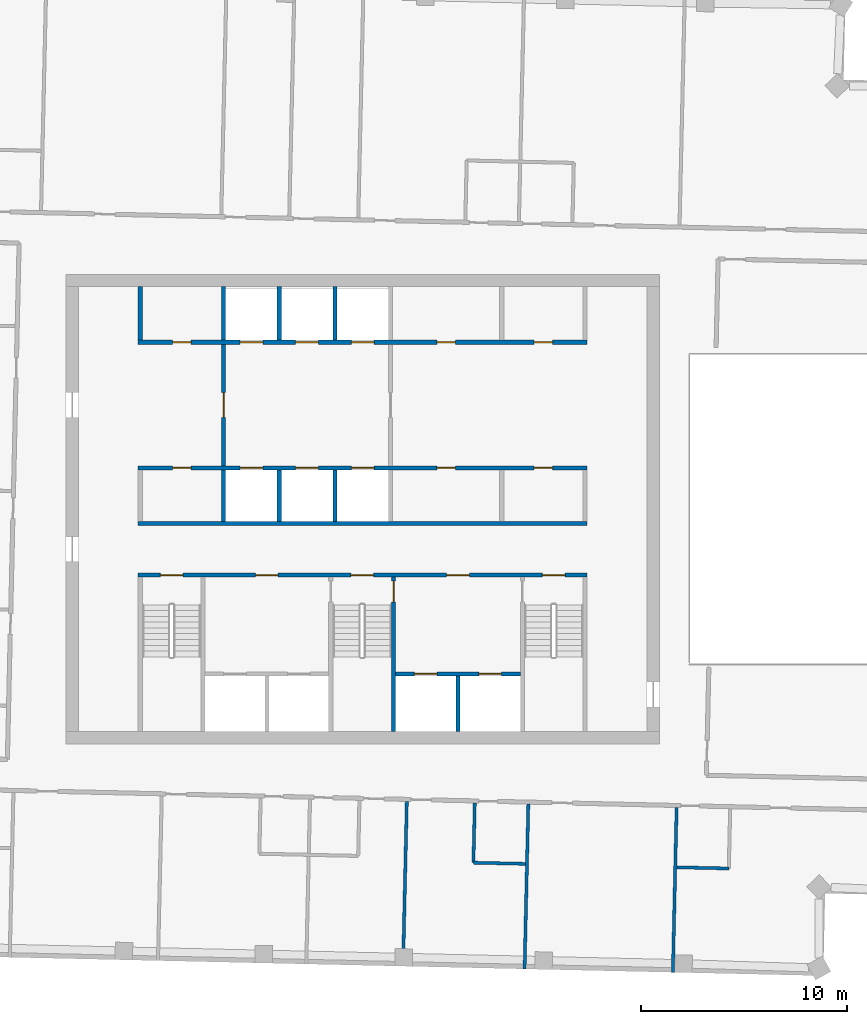
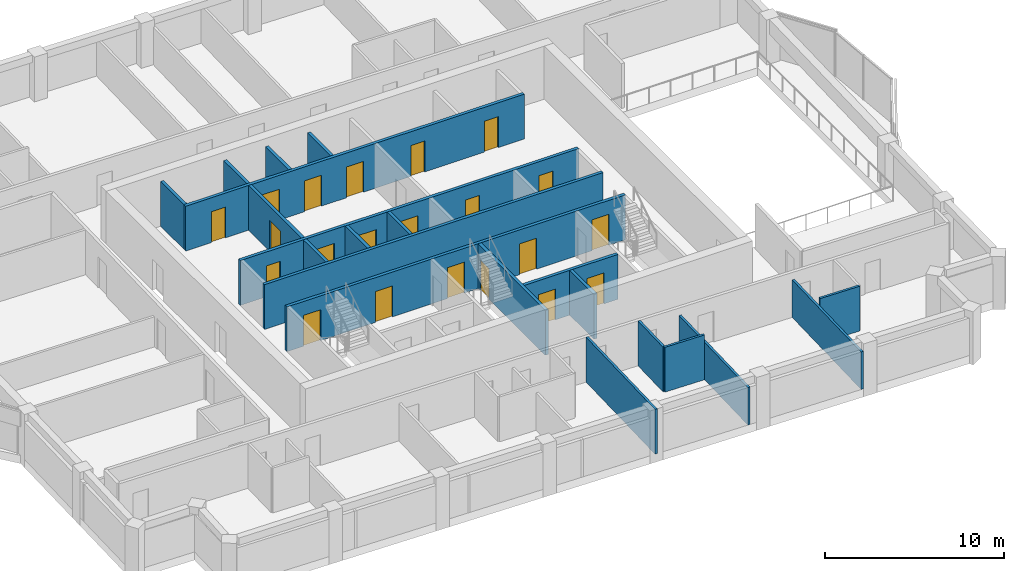
# One storey, part 7 of 11: 21 doors, 21 walls, 21 openings.
"""IFC4 building model written with IfcOpenShell, lengths in metres."""

import ifcopenshell
import ifcopenshell.guid

model = None  # the IFC model being written
_history = None  # IfcOwnerHistory: only IFC2X3 demands one
_inside = {}  # id of a spatial element -> (the spatial element, [elements in it])
_under = {}  # id of a project, library or spatial element -> (it, [spatial elements below it])
_declared = {}  # id of a project -> (the project, [libraries it declares])
_typed = {}  # id of a type object -> (the type object, [elements of that type])
_made_of = {}  # id of a material, layer set ... -> (it, [elements and type objects made of it])


def new_model(schema):
    """Start an empty IFC model of exactly this schema.

    Asked for "IFC4X3", IfcOpenShell would pick the latest addendum, in which some entities
    have other attributes; the version numbers below select the first issue.
    IFC2X3 requires an IfcOwnerHistory on every rooted entity: one is made here for all.
    """
    global model, _history
    if schema == "IFC4X3":
        model = ifcopenshell.file(schema_version=(4, 3, 0, 0))
    else:
        model = ifcopenshell.file(schema=schema)
    _inside.clear()
    _under.clear()
    _declared.clear()
    _typed.clear()
    _made_of.clear()
    _history = None
    if model.schema == "IFC2X3":
        org = make("IfcOrganization", Name="unknown")
        user = make(
            "IfcPersonAndOrganization",
            ThePerson=make("IfcPerson", FamilyName="unknown"),
            TheOrganization=org,
        )
        app = make(
            "IfcApplication",
            ApplicationDeveloper=org,
            Version="unknown",
            ApplicationFullName="unknown",
            ApplicationIdentifier="unknown",
        )
        _history = make(
            "IfcOwnerHistory",
            OwningUser=user,
            OwningApplication=app,
            ChangeAction="ADDED",
            CreationDate=0,
        )
    return model


def make(cls, **values):
    """One entity of the class cls with the attributes given. An attribute that is None is left unset."""
    return model.create_entity(
        cls, **{name: value for name, value in values.items() if value is not None}
    )


def rooted(cls, **values):
    """An entity with a GlobalId (a new one), such as an element, a storey or a relation."""
    return make(cls, GlobalId=ifcopenshell.guid.new(), OwnerHistory=_history, **values)


def si_unit(unit_type, name, prefix=None):
    """IfcSIUnit, for example si_unit("LENGTHUNIT", "METRE", prefix="MILLI")."""
    return make("IfcSIUnit", UnitType=unit_type, Prefix=prefix, Name=name)


def assignment(units):
    """IfcUnitAssignment: the units of a project."""
    return None if units is None else make("IfcUnitAssignment", Units=units)


def point(xyz):
    """IfcCartesianPoint."""
    return None if xyz is None else make("IfcCartesianPoint", Coordinates=xyz)


def direction(xyz):
    """IfcDirection."""
    return None if xyz is None else make("IfcDirection", DirectionRatios=xyz)


def frame(location, z_axis=None, x_axis=None):
    """IfcAxis2Placement3D, a coordinate frame: its origin and axes. An axis left out is left unset."""
    return make(
        "IfcAxis2Placement3D",
        Location=point(location),
        Axis=direction(z_axis),
        RefDirection=direction(x_axis),
    )


def frame_2d(location, x_axis=None):
    """IfcAxis2Placement2D, a coordinate frame in the plane: its origin and x axis."""
    return make(
        "IfcAxis2Placement2D", Location=point(location), RefDirection=direction(x_axis)
    )


def origin():
    """The frame at (0, 0, 0) with its axes left unset."""
    return frame((0.0, 0.0, 0.0))


def place(relative_to, where):
    """IfcLocalPlacement: puts the frame where relative to a parent placement (None: the world)."""
    return make(
        "IfcLocalPlacement", PlacementRelTo=relative_to, RelativePlacement=where
    )


def context(
    kind, dimensions, precision=None, world=None, true_north=None, identifier=None
):
    """IfcGeometricRepresentationContext, for example the 3D "Model" context."""
    return make(
        "IfcGeometricRepresentationContext",
        ContextIdentifier=identifier,
        ContextType=kind,
        CoordinateSpaceDimension=dimensions,
        Precision=precision,
        WorldCoordinateSystem=world,
        TrueNorth=true_north,
    )


def subcontext(parent, identifier, kind, view, scale=None):
    """IfcGeometricRepresentationSubContext, for example "Body" below "Model"."""
    return make(
        "IfcGeometricRepresentationSubContext",
        ContextIdentifier=identifier,
        ContextType=kind,
        ParentContext=parent,
        TargetScale=scale,
        TargetView=view,
    )


def project(units=None, contexts=None):
    """IfcProject with its units and contexts."""
    return rooted(
        "IfcProject",
        Name="project",
        RepresentationContexts=contexts,
        UnitsInContext=assignment(units),
    )


def spatial(cls, under=None, at=None, **own):
    """A site, building, storey or space (cls), placed at a placement, below another one or the project."""
    s = rooted(cls, ObjectPlacement=at, **own)
    if under is not None:
        _under.setdefault(under.id(), (under, []))[1].append(s)
    return s


def profile(cls, at=None, kind="AREA", **sizes):
    """A parametric profile (cls). Its sizes go by their IFC names, for example OverallWidth=200.0."""
    return make(cls, ProfileType=kind, Position=at, **sizes)


def rectangle(**sizes):
    """IfcRectangleProfileDef."""
    return profile("IfcRectangleProfileDef", **sizes)


def extrude(swept, where, along, depth):
    """IfcExtrudedAreaSolid: the profile swept, set in the frame where, extruded along a direction by depth."""
    return make(
        "IfcExtrudedAreaSolid",
        SweptArea=swept,
        Position=where,
        ExtrudedDirection=direction(along),
        Depth=depth,
    )


def shape(context_of_items, identifier, shape_type, items):
    """IfcShapeRepresentation: the items that make up one representation, for example the "Body"."""
    return make(
        "IfcShapeRepresentation",
        ContextOfItems=context_of_items,
        RepresentationIdentifier=identifier,
        RepresentationType=shape_type,
        Items=items,
    )


def material(Name=None, Category=None):
    """IfcMaterial."""
    return make("IfcMaterial", Name=Name, Category=Category)


def layer(
    of_material, thickness, ventilated=None, Name=None, Category=None, Priority=None
):
    """IfcMaterialLayer: one layer of a wall or slab, of a material (None: an air gap)."""
    return make(
        "IfcMaterialLayer",
        Material=of_material,
        LayerThickness=thickness,
        IsVentilated=ventilated,
        Name=Name,
        Category=Category,
        Priority=Priority,
    )


def layer_set(layers, Name=None):
    """IfcMaterialLayerSet."""
    return make("IfcMaterialLayerSet", MaterialLayers=layers, LayerSetName=Name)


def made_of(thing, what):
    """Note that an element or type object is made of a material, layer set ...; save() writes the relation."""
    if what is not None:
        _made_of.setdefault(what.id(), (what, []))[1].append(thing)
    return thing


def type_object(cls, material=None, **own):
    """A type object (cls), such as IfcWallType, which elements share."""
    return made_of(rooted(cls, **own), material)


def element(
    cls,
    number,
    at=None,
    inside=None,
    cuts=None,
    type_object=None,
    material=None,
    context=None,
    identifier="Body",
    shape_type=None,
    held_by="IfcProductDefinitionShape",
    body=None,
    shapes=None,
    **own,
):
    """One element of the class cls, such as IfcWall. Its Tag is "e" and its number.

    at: its placement. inside: the storey or other place that contains it. cuts: it is an
    opening in that element (IfcRelVoidsElement). A single representation is given by context,
    identifier, shape_type and body (its items); several are given by shapes. held_by: the class
    of the entity that holds the representations. save() writes the other relations.
    """
    e = rooted(cls, Tag="e%d" % number, ObjectPlacement=at, **own)
    if body is not None:
        shapes = [shape(context, identifier, shape_type, body)]
    if shapes is not None:
        e.Representation = make(held_by, Representations=shapes)
    if inside is not None:
        _inside.setdefault(inside.id(), (inside, []))[1].append(e)
    if cuts is not None:
        rooted(
            "IfcRelVoidsElement", RelatingBuildingElement=cuts, RelatedOpeningElement=e
        )
    if type_object is not None:
        _typed.setdefault(type_object.id(), (type_object, []))[1].append(e)
    return made_of(e, material)


def fill(opening, filler):
    """IfcRelFillsElement: the door or window that sits in an opening."""
    return rooted(
        "IfcRelFillsElement",
        RelatingOpeningElement=opening,
        RelatedBuildingElement=filler,
    )


def aggregate(whole, parts):
    """IfcRelAggregates: a whole, such as a stair, and the parts it consists of."""
    return rooted("IfcRelAggregates", RelatingObject=whole, RelatedObjects=parts)


def save(model, path):
    """Write the relations noted so far, then the file.

    IfcRelAggregates (storeys below a building ...), IfcRelContainedInSpatialStructure (elements
    in a storey), IfcRelDefinesByType, IfcRelAssociatesMaterial and IfcRelDeclares: one each for
    every whole, place, type object, material and project.
    """
    for whole, parts in _under.values():
        aggregate(whole, parts)
    for where, things in _inside.values():
        rooted(
            "IfcRelContainedInSpatialStructure",
            RelatedElements=things,
            RelatingStructure=where,
        )
    for kind, things in _typed.values():
        rooted("IfcRelDefinesByType", RelatedObjects=things, RelatingType=kind)
    for what, things in _made_of.values():
        rooted("IfcRelAssociatesMaterial", RelatedObjects=things, RelatingMaterial=what)
    for by, libraries in _declared.values():
        rooted("IfcRelDeclares", RelatingContext=by, RelatedDefinitions=libraries)
    model.write(path)


model = new_model("IFC4")

# Units and contexts
model_context = context("Model", 3, precision=1e-05, world=origin(), true_north=direction((0.0, 1.0)))
body_context = subcontext(model_context, "Body", "Model", "MODEL_VIEW")
ifc_project = project(units=[si_unit("LENGTHUNIT", "METRE"), si_unit("AREAUNIT", "SQUARE_METRE"), si_unit("VOLUMEUNIT", "CUBIC_METRE"), si_unit("PLANEANGLEUNIT", "RADIAN"), si_unit("MASSUNIT", "GRAM", prefix="KILO")], contexts=[model_context])

# Site, building, storey
site_placement = place(None, origin())
site = spatial("IfcSite", under=ifc_project, at=site_placement, CompositionType="ELEMENT")
building_placement = place(site_placement, origin())
building = spatial("IfcBuilding", under=site, at=building_placement, Name="Mangrove Gate Tower", CompositionType="ELEMENT")
storey_placement = place(building_placement, frame((0.0, 0.0, 334.300048828125)))
storey = spatial("IfcBuildingStorey", under=building, at=storey_placement, Name="L85", CompositionType="ELEMENT", Elevation=334.300048828125)

# Wall, opening, door
ifc_material_1 = material(Name="Concrete C32/40", Category="concrete")
ifc_layer_1 = layer(ifc_material_1, 0.199951171875)
ifc_layer_set_1 = layer_set([ifc_layer_1], Name="Core lobby wall 200 C32/40")
wall_type_1 = type_object("IfcWallType", Name="Core lobby wall 200 C32/40", PredefinedType="STANDARD", material=ifc_layer_set_1)
wall_1_placement = place(storey_placement, frame((-6.75, 2.10009765625, 0.0), z_axis=(0.0, 0.0, 1.0), x_axis=(0.0, 1.0, 0.0)))
wall_1 = element("IfcWall", 1, at=wall_1_placement, inside=storey, type_object=wall_type_1, Name="WALL-L85-CORE-33", PredefinedType="STANDARD", context=body_context, shape_type="SweptSolid", body=[
    extrude(rectangle(XDim=5.89990234375, YDim=0.199951171875, at=frame_2d((2.949951171875, 0.0))), origin(), (0.0, 0.0, 1.0), 3.050048828125),
])
opening_1_placement = place(wall_1_placement, frame((2.35009765625, 0.0, 0.0)))
opening_1 = element("IfcOpeningElement", 2, at=opening_1_placement, cuts=wall_1, Name="Opening FL12", PredefinedType="OPENING", context=body_context, shape_type="SweptSolid", body=[
    extrude(rectangle(XDim=1.199951171875, YDim=2.10009765625, at=frame_2d((0.60009765625, 1.050048828125))), frame((0.0, 0.10986328125, 0.0), z_axis=(0.0, -1.0, 0.0), x_axis=(1.0, 0.0, 0.0)), (0.0, 0.0, 1.0), 0.219970703125),
])
ifc_material_2 = material(Name="Fire-rated steel door set", Category="steel")
door_type_1 = type_object("IfcDoorType", Name="Lobby door FD60 1200x2100", OperationType="SINGLE_SWING_LEFT", PredefinedType="DOOR", material=ifc_material_2)
door_1_placement = place(opening_1_placement, origin())
door_1 = element("IfcDoor", 3, at=door_1_placement, inside=storey, type_object=door_type_1, Name="Lobby door lift lobby partition", OperationType="SINGLE_SWING_LEFT", OverallHeight=2.10009765625, OverallWidth=1.199951171875, PredefinedType="DOOR", context=body_context, shape_type="SweptSolid", body=[
    extrude(rectangle(XDim=1.199951171875, YDim=2.10009765625, at=frame_2d((0.60009765625, 1.050048828125))), frame((0.0, 0.02490234375, 0.0), z_axis=(0.0, -1.0, 0.0), x_axis=(1.0, 0.0, 0.0)), (0.0, 0.0, 1.0), 0.050048828125),
])
fill(opening_1, door_1)

# Walls
ifc_material_3 = material(Name="Concrete C32/40", Category="concrete")
ifc_layer_2 = layer(ifc_material_3, 0.199951171875)
ifc_layer_set_2 = layer_set([ifc_layer_2], Name="Core room wall 200 C32/40")
wall_type_2 = type_object("IfcWallType", Name="Core room wall 200 C32/40", PredefinedType="STANDARD", material=ifc_layer_set_2)
wall_2_placement = place(storey_placement, frame((-10.800048828125, 8.199951171875, 0.0), z_axis=(0.0, 0.0, 1.0), x_axis=(0.0, 1.0, 0.0)))
element("IfcWall", 4, at=wall_2_placement, inside=storey, type_object=wall_type_2, Name="WALL-L85-CORE-26", PredefinedType="STANDARD", context=body_context, shape_type="SweptSolid", body=[
    extrude(rectangle(XDim=2.60009765625, YDim=0.199951171875, at=frame_2d((1.300048828125, 0.0))), origin(), (0.0, 0.0, 1.0), 3.050048828125),
])
ifc_material_4 = material(Name="Concrete C50/60", Category="concrete")
ifc_layer_3 = layer(ifc_material_4, 0.199951171875)
ifc_layer_set_3 = layer_set([ifc_layer_3], Name="Core shaft wall 200 C50/60")
wall_type_3 = type_object("IfcWallType", Name="Core shaft wall 200 C50/60", PredefinedType="SHEAR", material=ifc_layer_set_3)
wall_3_placement = place(storey_placement, frame((-10.89990234375, -0.699951171875, 0.0), z_axis=(0.0, 0.0, 1.0), x_axis=(1.0, 0.0, 0.0)))
element("IfcWall", 5, at=wall_3_placement, inside=storey, type_object=wall_type_3, Name="WALL-L85-CORE-6", PredefinedType="SHEAR", context=body_context, shape_type="SweptSolid", body=[
    extrude(rectangle(XDim=21.7998046875, YDim=0.199951171875, at=frame_2d((10.89990234375, 0.0))), origin(), (0.0, 0.0, 1.0), 3.050048828125),
])

# Wall, openings, doors
wall_4_placement = place(storey_placement, frame((-10.89990234375, 2.0, 0.0), z_axis=(0.0, 0.0, 1.0), x_axis=(1.0, 0.0, 0.0)))
wall_4 = element("IfcWall", 6, at=wall_4_placement, inside=storey, type_object=wall_type_3, Name="WALL-L85-CORE-7", PredefinedType="SHEAR", context=body_context, shape_type="SweptSolid", body=[
    extrude(rectangle(XDim=21.7998046875, YDim=0.199951171875, at=frame_2d((10.89990234375, 0.0))), origin(), (0.0, 0.0, 1.0), 3.050048828125),
])
opening_2_placement = place(wall_4_placement, frame((4.949951171875, 0.0, 0.0)))
opening_2 = element("IfcOpeningElement", 7, at=opening_2_placement, cuts=wall_4, Name="Opening LD", PredefinedType="OPENING", context=body_context, shape_type="SweptSolid", body=[
    extrude(rectangle(XDim=1.10009765625, YDim=2.10009765625, at=frame_2d((0.550048828125, 1.050048828125))), frame((0.0, 0.10986328125, 0.0), z_axis=(0.0, -1.0, 0.0), x_axis=(1.0, 0.0, 0.0)), (0.0, 0.0, 1.0), 0.219970703125),
])
opening_3_placement = place(wall_4_placement, frame((7.64990234375, 0.0, 0.0)))
opening_3 = element("IfcOpeningElement", 8, at=opening_3_placement, cuts=wall_4, Name="Opening LD", PredefinedType="OPENING", context=body_context, shape_type="SweptSolid", body=[
    extrude(rectangle(XDim=1.10009765625, YDim=2.10009765625, at=frame_2d((0.550048828125, 1.050048828125))), frame((0.0, 0.10986328125, 0.0), z_axis=(0.0, -1.0, 0.0), x_axis=(1.0, 0.0, 0.0)), (0.0, 0.0, 1.0), 0.219970703125),
])
opening_4_placement = place(wall_4_placement, frame((10.35009765625, 0.0, 0.0)))
opening_4 = element("IfcOpeningElement", 9, at=opening_4_placement, cuts=wall_4, Name="Opening LD", PredefinedType="OPENING", context=body_context, shape_type="SweptSolid", body=[
    extrude(rectangle(XDim=1.10009765625, YDim=2.10009765625, at=frame_2d((0.550048828125, 1.050048828125))), frame((0.0, 0.10986328125, 0.0), z_axis=(0.0, -1.0, 0.0), x_axis=(1.0, 0.0, 0.0)), (0.0, 0.0, 1.0), 0.219970703125),
])
opening_5_placement = place(wall_4_placement, frame((1.675048828125, 0.0, 0.0)))
opening_5 = element("IfcOpeningElement", 10, at=opening_5_placement, cuts=wall_4, Name="Opening RD", PredefinedType="OPENING", context=body_context, shape_type="SweptSolid", body=[
    extrude(rectangle(XDim=0.89990234375, YDim=2.10009765625, at=frame_2d((0.449951171875, 1.050048828125))), frame((0.0, 0.10986328125, 0.0), z_axis=(0.0, -1.0, 0.0), x_axis=(1.0, 0.0, 0.0)), (0.0, 0.0, 1.0), 0.219970703125),
])
opening_6_placement = place(wall_4_placement, frame((14.5, 0.0, 0.0)))
opening_6 = element("IfcOpeningElement", 11, at=opening_6_placement, cuts=wall_4, Name="Opening RD", PredefinedType="OPENING", context=body_context, shape_type="SweptSolid", body=[
    extrude(rectangle(XDim=0.89990234375, YDim=2.10009765625, at=frame_2d((0.449951171875, 1.050048828125))), frame((0.0, 0.10986328125, 0.0), z_axis=(0.0, -1.0, 0.0), x_axis=(1.0, 0.0, 0.0)), (0.0, 0.0, 1.0), 0.219970703125),
])
opening_7_placement = place(wall_4_placement, frame((19.22509765625, 0.0, 0.0)))
opening_7 = element("IfcOpeningElement", 12, at=opening_7_placement, cuts=wall_4, Name="Opening KD", PredefinedType="OPENING", context=body_context, shape_type="SweptSolid", body=[
    extrude(rectangle(XDim=0.89990234375, YDim=2.10009765625, at=frame_2d((0.449951171875, 1.050048828125))), frame((0.0, 0.10986328125, 0.0), z_axis=(0.0, -1.0, 0.0), x_axis=(1.0, 0.0, 0.0)), (0.0, 0.0, 1.0), 0.219970703125),
])
ifc_material_5 = material(Name="Fire-rated steel door set", Category="steel")
door_type_2 = type_object("IfcDoorType", Name="Core room door FD30S 900x2100", OperationType="SINGLE_SWING_RIGHT", PredefinedType="DOOR", material=ifc_material_5)
door_2_placement = place(opening_7_placement, origin())
door_2 = element("IfcDoor", 13, at=door_2_placement, inside=storey, type_object=door_type_2, Name="Core room door Core WC", OperationType="SINGLE_SWING_RIGHT", OverallHeight=2.10009765625, OverallWidth=0.89990234375, PredefinedType="DOOR", context=body_context, shape_type="SweptSolid", body=[
    extrude(rectangle(XDim=0.89990234375, YDim=2.10009765625, at=frame_2d((0.449951171875, 1.050048828125))), frame((0.0, 0.02490234375, 0.0), z_axis=(0.0, -1.0, 0.0), x_axis=(1.0, 0.0, 0.0)), (0.0, 0.0, 1.0), 0.050048828125),
])
fill(opening_7, door_2)
ifc_material_6 = material(Name="Stainless steel 316", Category="steel")
door_type_3 = type_object("IfcDoorType", Name="Lift landing door 1100x2100", OperationType="SLIDING_TO_LEFT", PredefinedType="DOOR", material=ifc_material_6)
door_3_placement = place(opening_2_placement, origin())
door_3 = element("IfcDoor", 14, at=door_3_placement, inside=storey, type_object=door_type_3, Name="Landing door LD H01", OperationType="SLIDING_TO_LEFT", OverallHeight=2.10009765625, OverallWidth=1.10009765625, PredefinedType="DOOR", context=body_context, shape_type="SweptSolid", body=[
    extrude(rectangle(XDim=1.10009765625, YDim=2.10009765625, at=frame_2d((0.550048828125, 1.050048828125))), frame((0.0, 0.02490234375, 0.0), z_axis=(0.0, -1.0, 0.0), x_axis=(1.0, 0.0, 0.0)), (0.0, 0.0, 1.0), 0.050048828125),
])
fill(opening_2, door_3)
door_4_placement = place(opening_3_placement, origin())
door_4 = element("IfcDoor", 15, at=door_4_placement, inside=storey, type_object=door_type_3, Name="Landing door LD H02", OperationType="SLIDING_TO_LEFT", OverallHeight=2.10009765625, OverallWidth=1.10009765625, PredefinedType="DOOR", context=body_context, shape_type="SweptSolid", body=[
    extrude(rectangle(XDim=1.10009765625, YDim=2.10009765625, at=frame_2d((0.550048828125, 1.050048828125))), frame((0.0, 0.02490234375, 0.0), z_axis=(0.0, -1.0, 0.0), x_axis=(1.0, 0.0, 0.0)), (0.0, 0.0, 1.0), 0.050048828125),
])
fill(opening_3, door_4)
door_5_placement = place(opening_4_placement, origin())
door_5 = element("IfcDoor", 16, at=door_5_placement, inside=storey, type_object=door_type_3, Name="Landing door LD H03", OperationType="SLIDING_TO_LEFT", OverallHeight=2.10009765625, OverallWidth=1.10009765625, PredefinedType="DOOR", context=body_context, shape_type="SweptSolid", body=[
    extrude(rectangle(XDim=1.10009765625, YDim=2.10009765625, at=frame_2d((0.550048828125, 1.050048828125))), frame((0.0, 0.02490234375, 0.0), z_axis=(0.0, -1.0, 0.0), x_axis=(1.0, 0.0, 0.0)), (0.0, 0.0, 1.0), 0.050048828125),
])
fill(opening_4, door_5)
ifc_material_7 = material(Name="Fire-rated steel door set", Category="steel")
door_type_4 = type_object("IfcDoorType", Name="Riser door FD30S 900x2100", OperationType="SINGLE_SWING_LEFT", PredefinedType="DOOR", material=ifc_material_7)
door_6_placement = place(opening_5_placement, origin())
door_6 = element("IfcDoor", 17, at=door_6_placement, inside=storey, type_object=door_type_4, Name="Riser door Switch room", OperationType="SINGLE_SWING_LEFT", OverallHeight=2.10009765625, OverallWidth=0.89990234375, PredefinedType="DOOR", context=body_context, shape_type="SweptSolid", body=[
    extrude(rectangle(XDim=0.89990234375, YDim=2.10009765625, at=frame_2d((0.449951171875, 1.050048828125))), frame((0.0, 0.02490234375, 0.0), z_axis=(0.0, -1.0, 0.0), x_axis=(1.0, 0.0, 0.0)), (0.0, 0.0, 1.0), 0.050048828125),
])
fill(opening_5, door_6)
door_7_placement = place(opening_6_placement, origin())
door_7 = element("IfcDoor", 18, at=door_7_placement, inside=storey, type_object=door_type_4, Name="Riser door Comms room", OperationType="SINGLE_SWING_LEFT", OverallHeight=2.10009765625, OverallWidth=0.89990234375, PredefinedType="DOOR", context=body_context, shape_type="SweptSolid", body=[
    extrude(rectangle(XDim=0.89990234375, YDim=2.10009765625, at=frame_2d((0.449951171875, 1.050048828125))), frame((0.0, 0.02490234375, 0.0), z_axis=(0.0, -1.0, 0.0), x_axis=(1.0, 0.0, 0.0)), (0.0, 0.0, 1.0), 0.050048828125),
])
fill(opening_6, door_7)

wall_5_placement = place(storey_placement, frame((-10.89990234375, 8.10009765625, 0.0), z_axis=(0.0, 0.0, 1.0), x_axis=(1.0, 0.0, 0.0)))
wall_5 = element("IfcWall", 19, at=wall_5_placement, inside=storey, type_object=wall_type_3, Name="WALL-L85-CORE-8", PredefinedType="SHEAR", context=body_context, shape_type="SweptSolid", body=[
    extrude(rectangle(XDim=21.7998046875, YDim=0.199951171875, at=frame_2d((10.89990234375, 0.0))), origin(), (0.0, 0.0, 1.0), 3.050048828125),
])
opening_8_placement = place(wall_5_placement, frame((4.949951171875, 0.0, 0.0)))
opening_8 = element("IfcOpeningElement", 20, at=opening_8_placement, cuts=wall_5, Name="Opening LD", PredefinedType="OPENING", context=body_context, shape_type="SweptSolid", body=[
    extrude(rectangle(XDim=1.10009765625, YDim=2.10009765625, at=frame_2d((0.550048828125, 1.050048828125))), frame((0.0, 0.10986328125, 0.0), z_axis=(0.0, -1.0, 0.0), x_axis=(1.0, 0.0, 0.0)), (0.0, 0.0, 1.0), 0.219970703125),
])
opening_9_placement = place(wall_5_placement, frame((7.64990234375, 0.0, 0.0)))
opening_9 = element("IfcOpeningElement", 21, at=opening_9_placement, cuts=wall_5, Name="Opening LD", PredefinedType="OPENING", context=body_context, shape_type="SweptSolid", body=[
    extrude(rectangle(XDim=1.10009765625, YDim=2.10009765625, at=frame_2d((0.550048828125, 1.050048828125))), frame((0.0, 0.10986328125, 0.0), z_axis=(0.0, -1.0, 0.0), x_axis=(1.0, 0.0, 0.0)), (0.0, 0.0, 1.0), 0.219970703125),
])
opening_10_placement = place(wall_5_placement, frame((10.35009765625, 0.0, 0.0)))
opening_10 = element("IfcOpeningElement", 22, at=opening_10_placement, cuts=wall_5, Name="Opening LD", PredefinedType="OPENING", context=body_context, shape_type="SweptSolid", body=[
    extrude(rectangle(XDim=1.10009765625, YDim=2.10009765625, at=frame_2d((0.550048828125, 1.050048828125))), frame((0.0, 0.10986328125, 0.0), z_axis=(0.0, -1.0, 0.0), x_axis=(1.0, 0.0, 0.0)), (0.0, 0.0, 1.0), 0.219970703125),
])
opening_11_placement = place(wall_5_placement, frame((1.675048828125, 0.0, 0.0)))
opening_11 = element("IfcOpeningElement", 23, at=opening_11_placement, cuts=wall_5, Name="Opening KD", PredefinedType="OPENING", context=body_context, shape_type="SweptSolid", body=[
    extrude(rectangle(XDim=0.89990234375, YDim=2.10009765625, at=frame_2d((0.449951171875, 1.050048828125))), frame((0.0, 0.10986328125, 0.0), z_axis=(0.0, -1.0, 0.0), x_axis=(1.0, 0.0, 0.0)), (0.0, 0.0, 1.0), 0.219970703125),
])
opening_12_placement = place(wall_5_placement, frame((14.5, 0.0, 0.0)))
opening_12 = element("IfcOpeningElement", 24, at=opening_12_placement, cuts=wall_5, Name="Opening KD", PredefinedType="OPENING", context=body_context, shape_type="SweptSolid", body=[
    extrude(rectangle(XDim=0.89990234375, YDim=2.10009765625, at=frame_2d((0.449951171875, 1.050048828125))), frame((0.0, 0.10986328125, 0.0), z_axis=(0.0, -1.0, 0.0), x_axis=(1.0, 0.0, 0.0)), (0.0, 0.0, 1.0), 0.219970703125),
])
opening_13_placement = place(wall_5_placement, frame((19.22509765625, 0.0, 0.0)))
opening_13 = element("IfcOpeningElement", 25, at=opening_13_placement, cuts=wall_5, Name="Opening KD", PredefinedType="OPENING", context=body_context, shape_type="SweptSolid", body=[
    extrude(rectangle(XDim=0.89990234375, YDim=2.10009765625, at=frame_2d((0.449951171875, 1.050048828125))), frame((0.0, 0.10986328125, 0.0), z_axis=(0.0, -1.0, 0.0), x_axis=(1.0, 0.0, 0.0)), (0.0, 0.0, 1.0), 0.219970703125),
])
door_8_placement = place(opening_11_placement, origin())
door_8 = element("IfcDoor", 26, at=door_8_placement, inside=storey, type_object=door_type_2, Name="Core room door Pantry store", OperationType="SINGLE_SWING_RIGHT", OverallHeight=2.10009765625, OverallWidth=0.89990234375, PredefinedType="DOOR", context=body_context, shape_type="SweptSolid", body=[
    extrude(rectangle(XDim=0.89990234375, YDim=2.10009765625, at=frame_2d((0.449951171875, 1.050048828125))), frame((0.0, 0.02490234375, 0.0), z_axis=(0.0, -1.0, 0.0), x_axis=(1.0, 0.0, 0.0)), (0.0, 0.0, 1.0), 0.050048828125),
])
fill(opening_11, door_8)
door_9_placement = place(opening_12_placement, origin())
door_9 = element("IfcDoor", 27, at=door_9_placement, inside=storey, type_object=door_type_2, Name="Core room door Cleaner's store", OperationType="SINGLE_SWING_RIGHT", OverallHeight=2.10009765625, OverallWidth=0.89990234375, PredefinedType="DOOR", context=body_context, shape_type="SweptSolid", body=[
    extrude(rectangle(XDim=0.89990234375, YDim=2.10009765625, at=frame_2d((0.449951171875, 1.050048828125))), frame((0.0, 0.02490234375, 0.0), z_axis=(0.0, -1.0, 0.0), x_axis=(1.0, 0.0, 0.0)), (0.0, 0.0, 1.0), 0.050048828125),
])
fill(opening_12, door_9)
door_10_placement = place(opening_13_placement, origin())
door_10 = element("IfcDoor", 28, at=door_10_placement, inside=storey, type_object=door_type_2, Name="Core room door Refuse store", OperationType="SINGLE_SWING_RIGHT", OverallHeight=2.10009765625, OverallWidth=0.89990234375, PredefinedType="DOOR", context=body_context, shape_type="SweptSolid", body=[
    extrude(rectangle(XDim=0.89990234375, YDim=2.10009765625, at=frame_2d((0.449951171875, 1.050048828125))), frame((0.0, 0.02490234375, 0.0), z_axis=(0.0, -1.0, 0.0), x_axis=(1.0, 0.0, 0.0)), (0.0, 0.0, 1.0), 0.050048828125),
])
fill(opening_13, door_10)
door_11_placement = place(opening_8_placement, origin())
door_11 = element("IfcDoor", 29, at=door_11_placement, inside=storey, type_object=door_type_3, Name="Landing door LD H04", OperationType="SLIDING_TO_LEFT", OverallHeight=2.10009765625, OverallWidth=1.10009765625, PredefinedType="DOOR", context=body_context, shape_type="SweptSolid", body=[
    extrude(rectangle(XDim=1.10009765625, YDim=2.10009765625, at=frame_2d((0.550048828125, 1.050048828125))), frame((0.0, 0.02490234375, 0.0), z_axis=(0.0, -1.0, 0.0), x_axis=(1.0, 0.0, 0.0)), (0.0, 0.0, 1.0), 0.050048828125),
])
fill(opening_8, door_11)
door_12_placement = place(opening_9_placement, origin())
door_12 = element("IfcDoor", 30, at=door_12_placement, inside=storey, type_object=door_type_3, Name="Landing door LD H05", OperationType="SLIDING_TO_LEFT", OverallHeight=2.10009765625, OverallWidth=1.10009765625, PredefinedType="DOOR", context=body_context, shape_type="SweptSolid", body=[
    extrude(rectangle(XDim=1.10009765625, YDim=2.10009765625, at=frame_2d((0.550048828125, 1.050048828125))), frame((0.0, 0.02490234375, 0.0), z_axis=(0.0, -1.0, 0.0), x_axis=(1.0, 0.0, 0.0)), (0.0, 0.0, 1.0), 0.050048828125),
])
fill(opening_9, door_12)
door_13_placement = place(opening_10_placement, origin())
door_13 = element("IfcDoor", 31, at=door_13_placement, inside=storey, type_object=door_type_3, Name="Landing door LD H06", OperationType="SLIDING_TO_LEFT", OverallHeight=2.10009765625, OverallWidth=1.10009765625, PredefinedType="DOOR", context=body_context, shape_type="SweptSolid", body=[
    extrude(rectangle(XDim=1.10009765625, YDim=2.10009765625, at=frame_2d((0.550048828125, 1.050048828125))), frame((0.0, 0.02490234375, 0.0), z_axis=(0.0, -1.0, 0.0), x_axis=(1.0, 0.0, 0.0)), (0.0, 0.0, 1.0), 0.050048828125),
])
fill(opening_10, door_13)

wall_6_placement = place(storey_placement, frame((1.60009765625, -8.0, 0.0), z_axis=(0.0, 0.0, 1.0), x_axis=(1.0, 0.0, 0.0)))
wall_6 = element("IfcWall", 32, at=wall_6_placement, inside=storey, type_object=wall_type_3, Name="WALL-L85-CORE-17", PredefinedType="SHEAR", context=body_context, shape_type="SweptSolid", body=[
    extrude(rectangle(XDim=6.0498046875, YDim=0.199951171875, at=frame_2d((3.02490234375, 0.0))), origin(), (0.0, 0.0, 1.0), 3.050048828125),
])
opening_14_placement = place(wall_6_placement, frame((0.91259765625, 0.0, 0.0)))
opening_14 = element("IfcOpeningElement", 33, at=opening_14_placement, cuts=wall_6, Name="Opening LD", PredefinedType="OPENING", context=body_context, shape_type="SweptSolid", body=[
    extrude(rectangle(XDim=1.10009765625, YDim=2.10009765625, at=frame_2d((0.550048828125, 1.050048828125))), frame((0.0, 0.10986328125, 0.0), z_axis=(0.0, -1.0, 0.0), x_axis=(1.0, 0.0, 0.0)), (0.0, 0.0, 1.0), 0.219970703125),
])
opening_15_placement = place(wall_6_placement, frame((4.03759765625, 0.0, 0.0)))
opening_15 = element("IfcOpeningElement", 34, at=opening_15_placement, cuts=wall_6, Name="Opening LD", PredefinedType="OPENING", context=body_context, shape_type="SweptSolid", body=[
    extrude(rectangle(XDim=1.10009765625, YDim=2.10009765625, at=frame_2d((0.550048828125, 1.050048828125))), frame((0.0, 0.10986328125, 0.0), z_axis=(0.0, -1.0, 0.0), x_axis=(1.0, 0.0, 0.0)), (0.0, 0.0, 1.0), 0.219970703125),
])
door_14_placement = place(opening_14_placement, origin())
door_14 = element("IfcDoor", 35, at=door_14_placement, inside=storey, type_object=door_type_3, Name="Landing door LD FFL1", OperationType="SLIDING_TO_LEFT", OverallHeight=2.10009765625, OverallWidth=1.10009765625, PredefinedType="DOOR", context=body_context, shape_type="SweptSolid", body=[
    extrude(rectangle(XDim=1.10009765625, YDim=2.10009765625, at=frame_2d((0.550048828125, 1.050048828125))), frame((0.0, 0.02490234375, 0.0), z_axis=(0.0, -1.0, 0.0), x_axis=(1.0, 0.0, 0.0)), (0.0, 0.0, 1.0), 0.050048828125),
])
fill(opening_14, door_14)
door_15_placement = place(opening_15_placement, origin())
door_15 = element("IfcDoor", 36, at=door_15_placement, inside=storey, type_object=door_type_3, Name="Landing door LD FFL2", OperationType="SLIDING_TO_LEFT", OverallHeight=2.10009765625, OverallWidth=1.10009765625, PredefinedType="DOOR", context=body_context, shape_type="SweptSolid", body=[
    extrude(rectangle(XDim=1.10009765625, YDim=2.10009765625, at=frame_2d((0.550048828125, 1.050048828125))), frame((0.0, 0.02490234375, 0.0), z_axis=(0.0, -1.0, 0.0), x_axis=(1.0, 0.0, 0.0)), (0.0, 0.0, 1.0), 0.050048828125),
])
fill(opening_15, door_15)

# Walls
wall_7_placement = place(storey_placement, frame((4.625, -10.800048828125, 0.0), z_axis=(0.0, 0.0, 1.0), x_axis=(0.0, 1.0, 0.0)))
element("IfcWall", 37, at=wall_7_placement, inside=storey, type_object=wall_type_3, Name="WALL-L85-CORE-18", PredefinedType="SHEAR", context=body_context, shape_type="SweptSolid", body=[
    extrude(rectangle(XDim=2.699951171875, YDim=0.199951171875, at=frame_2d((1.35009765625, 0.0))), origin(), (0.0, 0.0, 1.0), 3.050048828125),
])
for number, where, z_axis, x_axis, name in (
    (38, (-6.75, -0.60009765625, 0.0), (0.0, 0.0, 1.0), (0.0, 1.0, 0.0), "WALL-L85-CORE-20"),
    (39, (-4.050048828125, -0.60009765625, 0.0), (0.0, 0.0, 1.0), (0.0, 1.0, 0.0), "WALL-L85-CORE-21"),
    (40, (-1.35009765625, -0.60009765625, 0.0), (0.0, 0.0, 1.0), (0.0, 1.0, 0.0), "WALL-L85-CORE-22"),
):
    element("IfcWall", number, at=place(storey_placement, frame(where, z_axis=z_axis, x_axis=x_axis)), inside=storey, type_object=wall_type_3, Name=name, PredefinedType="SHEAR", context=body_context, shape_type="SweptSolid", body=[
        extrude(rectangle(XDim=2.5, YDim=0.199951171875, at=frame_2d((1.25, 0.0))), origin(), (0.0, 0.0, 1.0), 3.050048828125),
    ])
for number, where, z_axis, x_axis, name in (
    (41, (-6.75, 8.199951171875, 0.0), (0.0, 0.0, 1.0), (0.0, 1.0, 0.0), "WALL-L85-CORE-27"),
    (42, (-4.050048828125, 8.199951171875, 0.0), (0.0, 0.0, 1.0), (0.0, 1.0, 0.0), "WALL-L85-CORE-28"),
    (43, (-1.35009765625, 8.199951171875, 0.0), (0.0, 0.0, 1.0), (0.0, 1.0, 0.0), "WALL-L85-CORE-29"),
):
    element("IfcWall", number, at=place(storey_placement, frame(where, z_axis=z_axis, x_axis=x_axis)), inside=storey, type_object=wall_type_3, Name=name, PredefinedType="SHEAR", context=body_context, shape_type="SweptSolid", body=[
        extrude(rectangle(XDim=2.60009765625, YDim=0.199951171875, at=frame_2d((1.300048828125, 0.0))), origin(), (0.0, 0.0, 1.0), 3.050048828125),
    ])

# Wall, openings, doors
ifc_material_8 = material(Name="Concrete C50/60", Category="concrete")
ifc_layer_4 = layer(ifc_material_8, 0.199951171875)
ifc_layer_set_4 = layer_set([ifc_layer_4], Name="Core stair wall 200 C50/60")
wall_type_4 = type_object("IfcWallType", Name="Core stair wall 200 C50/60", PredefinedType="SHEAR", material=ifc_layer_set_4)
wall_8_placement = place(storey_placement, frame((-10.89990234375, -3.199951171875, 0.0), z_axis=(0.0, 0.0, 1.0), x_axis=(1.0, 0.0, 0.0)))
wall_8 = element("IfcWall", 44, at=wall_8_placement, inside=storey, type_object=wall_type_4, Name="WALL-L85-CORE-5", PredefinedType="SHEAR", context=body_context, shape_type="SweptSolid", body=[
    extrude(rectangle(XDim=21.7998046875, YDim=0.199951171875, at=frame_2d((10.89990234375, 0.0))), origin(), (0.0, 0.0, 1.0), 3.050048828125),
])
opening_16_placement = place(wall_8_placement, frame((1.074951171875, 0.0, 0.0)))
opening_16 = element("IfcOpeningElement", 45, at=opening_16_placement, cuts=wall_8, Name="Opening STD11", PredefinedType="OPENING", context=body_context, shape_type="SweptSolid", body=[
    extrude(rectangle(XDim=1.10009765625, YDim=2.10009765625, at=frame_2d((0.550048828125, 1.050048828125))), frame((0.0, 0.10986328125, 0.0), z_axis=(0.0, -1.0, 0.0), x_axis=(1.0, 0.0, 0.0)), (0.0, 0.0, 1.0), 0.219970703125),
])
opening_17_placement = place(wall_8_placement, frame((10.324951171875, 0.0, 0.0)))
opening_17 = element("IfcOpeningElement", 46, at=opening_17_placement, cuts=wall_8, Name="Opening STD11", PredefinedType="OPENING", context=body_context, shape_type="SweptSolid", body=[
    extrude(rectangle(XDim=1.10009765625, YDim=2.10009765625, at=frame_2d((0.550048828125, 1.050048828125))), frame((0.0, 0.10986328125, 0.0), z_axis=(0.0, -1.0, 0.0), x_axis=(1.0, 0.0, 0.0)), (0.0, 0.0, 1.0), 0.219970703125),
])
opening_18_placement = place(wall_8_placement, frame((19.625, 0.0, 0.0)))
opening_18 = element("IfcOpeningElement", 47, at=opening_18_placement, cuts=wall_8, Name="Opening STD11", PredefinedType="OPENING", context=body_context, shape_type="SweptSolid", body=[
    extrude(rectangle(XDim=1.10009765625, YDim=2.10009765625, at=frame_2d((0.550048828125, 1.050048828125))), frame((0.0, 0.10986328125, 0.0), z_axis=(0.0, -1.0, 0.0), x_axis=(1.0, 0.0, 0.0)), (0.0, 0.0, 1.0), 0.219970703125),
])
opening_19_placement = place(wall_8_placement, frame((5.699951171875, 0.0, 0.0)))
opening_19 = element("IfcOpeningElement", 48, at=opening_19_placement, cuts=wall_8, Name="Opening FL", PredefinedType="OPENING", context=body_context, shape_type="SweptSolid", body=[
    extrude(rectangle(XDim=1.10009765625, YDim=2.10009765625, at=frame_2d((0.550048828125, 1.050048828125))), frame((0.0, 0.10986328125, 0.0), z_axis=(0.0, -1.0, 0.0), x_axis=(1.0, 0.0, 0.0)), (0.0, 0.0, 1.0), 0.219970703125),
])
opening_20_placement = place(wall_8_placement, frame((14.97509765625, 0.0, 0.0)))
opening_20 = element("IfcOpeningElement", 49, at=opening_20_placement, cuts=wall_8, Name="Opening FL", PredefinedType="OPENING", context=body_context, shape_type="SweptSolid", body=[
    extrude(rectangle(XDim=1.10009765625, YDim=2.10009765625, at=frame_2d((0.550048828125, 1.050048828125))), frame((0.0, 0.10986328125, 0.0), z_axis=(0.0, -1.0, 0.0), x_axis=(1.0, 0.0, 0.0)), (0.0, 0.0, 1.0), 0.219970703125),
])
ifc_material_9 = material(Name="Fire-rated steel door set", Category="steel")
door_type_5 = type_object("IfcDoorType", Name="Lobby door FD60 1100x2100", OperationType="SINGLE_SWING_LEFT", PredefinedType="DOOR", material=ifc_material_9)
door_16_placement = place(opening_19_placement, origin())
door_16 = element("IfcDoor", 50, at=door_16_placement, inside=storey, type_object=door_type_5, Name="Lobby door service lobby", OperationType="SINGLE_SWING_LEFT", OverallHeight=2.10009765625, OverallWidth=1.10009765625, PredefinedType="DOOR", context=body_context, shape_type="SweptSolid", body=[
    extrude(rectangle(XDim=1.10009765625, YDim=2.10009765625, at=frame_2d((0.550048828125, 1.050048828125))), frame((0.0, 0.02490234375, 0.0), z_axis=(0.0, -1.0, 0.0), x_axis=(1.0, 0.0, 0.0)), (0.0, 0.0, 1.0), 0.050048828125),
])
fill(opening_19, door_16)
door_17_placement = place(opening_20_placement, origin())
door_17 = element("IfcDoor", 51, at=door_17_placement, inside=storey, type_object=door_type_5, Name="Lobby door fire-fighting lobby", OperationType="SINGLE_SWING_LEFT", OverallHeight=2.10009765625, OverallWidth=1.10009765625, PredefinedType="DOOR", context=body_context, shape_type="SweptSolid", body=[
    extrude(rectangle(XDim=1.10009765625, YDim=2.10009765625, at=frame_2d((0.550048828125, 1.050048828125))), frame((0.0, 0.02490234375, 0.0), z_axis=(0.0, -1.0, 0.0), x_axis=(1.0, 0.0, 0.0)), (0.0, 0.0, 1.0), 0.050048828125),
])
fill(opening_20, door_17)
ifc_material_10 = material(Name="Fire-rated steel door set", Category="steel")
door_type_6 = type_object("IfcDoorType", Name="Stair door FD60 1100x2100", OperationType="SINGLE_SWING_RIGHT", PredefinedType="DOOR", material=ifc_material_10)
door_18_placement = place(opening_16_placement, origin())
door_18 = element("IfcDoor", 52, at=door_18_placement, inside=storey, type_object=door_type_6, Name="Stair door Stair 1", OperationType="SINGLE_SWING_RIGHT", OverallHeight=2.10009765625, OverallWidth=1.10009765625, PredefinedType="DOOR", context=body_context, shape_type="SweptSolid", body=[
    extrude(rectangle(XDim=1.10009765625, YDim=2.10009765625, at=frame_2d((0.550048828125, 1.050048828125))), frame((0.0, 0.02490234375, 0.0), z_axis=(0.0, -1.0, 0.0), x_axis=(1.0, 0.0, 0.0)), (0.0, 0.0, 1.0), 0.050048828125),
])
fill(opening_16, door_18)
door_19_placement = place(opening_17_placement, origin())
door_19 = element("IfcDoor", 53, at=door_19_placement, inside=storey, type_object=door_type_6, Name="Stair door Stair 2", OperationType="SINGLE_SWING_RIGHT", OverallHeight=2.10009765625, OverallWidth=1.10009765625, PredefinedType="DOOR", context=body_context, shape_type="SweptSolid", body=[
    extrude(rectangle(XDim=1.10009765625, YDim=2.10009765625, at=frame_2d((0.550048828125, 1.050048828125))), frame((0.0, 0.02490234375, 0.0), z_axis=(0.0, -1.0, 0.0), x_axis=(1.0, 0.0, 0.0)), (0.0, 0.0, 1.0), 0.050048828125),
])
fill(opening_17, door_19)
door_20_placement = place(opening_18_placement, origin())
door_20 = element("IfcDoor", 54, at=door_20_placement, inside=storey, type_object=door_type_6, Name="Stair door Stair 3", OperationType="SINGLE_SWING_RIGHT", OverallHeight=2.10009765625, OverallWidth=1.10009765625, PredefinedType="DOOR", context=body_context, shape_type="SweptSolid", body=[
    extrude(rectangle(XDim=1.10009765625, YDim=2.10009765625, at=frame_2d((0.550048828125, 1.050048828125))), frame((0.0, 0.02490234375, 0.0), z_axis=(0.0, -1.0, 0.0), x_axis=(1.0, 0.0, 0.0)), (0.0, 0.0, 1.0), 0.050048828125),
])
fill(opening_18, door_20)

# Wall, opening, door
wall_9_placement = place(storey_placement, frame((1.5, -10.800048828125, 0.0), z_axis=(0.0, 0.0, 1.0), x_axis=(0.0, 1.0, 0.0)))
wall_9 = element("IfcWall", 55, at=wall_9_placement, inside=storey, type_object=wall_type_4, Name="WALL-L85-CORE-12", PredefinedType="SHEAR", context=body_context, shape_type="SweptSolid", body=[
    extrude(rectangle(XDim=7.5, YDim=0.199951171875, at=frame_2d((3.75, 0.0))), origin(), (0.0, 0.0, 1.0), 3.050048828125),
])
opening_21_placement = place(wall_9_placement, frame((6.300048828125, 0.0, 0.0)))
opening_21 = element("IfcOpeningElement", 56, at=opening_21_placement, cuts=wall_9, Name="Opening STD10", PredefinedType="OPENING", context=body_context, shape_type="SweptSolid", body=[
    extrude(rectangle(XDim=1.0, YDim=2.10009765625, at=frame_2d((0.5, 1.050048828125))), frame((0.0, 0.10986328125, 0.0), z_axis=(0.0, -1.0, 0.0), x_axis=(1.0, 0.0, 0.0)), (0.0, 0.0, 1.0), 0.219970703125),
])
ifc_material_11 = material(Name="Fire-rated steel door set", Category="steel")
door_type_7 = type_object("IfcDoorType", Name="Stair door FD60 1000x2100", OperationType="SINGLE_SWING_RIGHT", PredefinedType="DOOR", material=ifc_material_11)
door_21_placement = place(opening_21_placement, origin())
door_21 = element("IfcDoor", 57, at=door_21_placement, inside=storey, type_object=door_type_7, Name="Stair door Stair 2 from fire-fighting lobby", OperationType="SINGLE_SWING_RIGHT", OverallHeight=2.10009765625, OverallWidth=1.0, PredefinedType="DOOR", context=body_context, shape_type="SweptSolid", body=[
    extrude(rectangle(XDim=1.0, YDim=2.10009765625, at=frame_2d((0.5, 1.050048828125))), frame((0.0, 0.02490234375, 0.0), z_axis=(0.0, -1.0, 0.0), x_axis=(1.0, 0.0, 0.0)), (0.0, 0.0, 1.0), 0.050048828125),
])
fill(opening_21, door_21)

# Walls
ifc_material_12 = material(Name="Gypsum board on steel stud, EI 60", Category="steel")
ifc_layer_5 = layer(ifc_material_12, 0.14990234375)
ifc_layer_set_5 = layer_set([ifc_layer_5], Name="Party wall 150 EI 60")
wall_type_5 = type_object("IfcWallType", Name="Party wall 150 EI 60", PredefinedType="PARTITIONING", material=ifc_layer_set_5)
wall_10_placement = place(storey_placement, frame((1.9599609375, -22.18701171875, 0.0), z_axis=(0.0, 0.0, 1.0), x_axis=(0.022765770952, 0.999740826251, 0.0)))
element("IfcWall", 58, at=wall_10_placement, inside=storey, type_object=wall_type_5, Name="WALL-L85-004", PredefinedType="PARTITIONING", context=body_context, shape_type="SweptSolid", body=[
    extrude(rectangle(XDim=8.0, YDim=0.14990234375, at=frame_2d((4.0, 0.0))), origin(), (0.0, 0.0, 1.0), 3.050048828125),
])
wall_11_placement = place(storey_placement, frame((7.85888671875, -22.321044921875, 0.0), z_axis=(0.0, 0.0, 1.0), x_axis=(0.022643765233, 0.999743597077, 0.0)))
element("IfcWall", 59, at=wall_11_placement, inside=storey, type_object=wall_type_5, Name="WALL-L85-005", PredefinedType="PARTITIONING", context=body_context, shape_type="SweptSolid", body=[
    extrude(rectangle(XDim=8.0, YDim=0.14990234375, at=frame_2d((4.0, 0.0))), origin(), (0.0, 0.0, 1.0), 2.550048828125),
])
wall_12_placement = place(storey_placement, frame((15.056884765625, -22.48388671875, 0.0), z_axis=(0.0, 0.0, 1.0), x_axis=(0.022644456101, 0.999743581429, 0.0)))
element("IfcWall", 60, at=wall_12_placement, inside=storey, type_object=wall_type_5, Name="WALL-L85-006", PredefinedType="PARTITIONING", context=body_context, shape_type="SweptSolid", body=[
    extrude(rectangle(XDim=7.999755859375, YDim=0.14990234375, at=frame_2d((4.0, 0.0))), origin(), (0.0, 0.0, 1.0), 2.550048828125),
])
wall_13_placement = place(storey_placement, frame((5.375, -17.1630859375, 0.0), z_axis=(0.0, 0.0, 1.0), x_axis=(0.9997461113, -0.022532486354, 0.0)))
element("IfcWall", 61, at=wall_13_placement, inside=storey, type_object=wall_type_5, Name="WALL-L85-007", PredefinedType="PARTITIONING", context=body_context, shape_type="SweptSolid", body=[
    extrude(rectangle(XDim=2.524658203125, YDim=0.14990234375, at=frame_2d((1.26220703125, 0.0))), origin(), (0.0, 0.0, 1.0), 3.050048828125),
])
wall_14_placement = place(storey_placement, frame((5.375, -17.1630859375, 0.0), z_axis=(0.0, 0.0, 1.0), x_axis=(0.022730967319, 0.999741618182, 0.0)))
element("IfcWall", 62, at=wall_14_placement, inside=storey, type_object=wall_type_5, Name="WALL-L85-008", PredefinedType="PARTITIONING", context=body_context, shape_type="SweptSolid", body=[
    extrude(rectangle(XDim=2.89990234375, YDim=0.14990234375, at=frame_2d((1.449951171875, 0.0))), origin(), (0.0, 0.0, 1.0), 3.050048828125),
])
wall_15_placement = place(storey_placement, frame((15.2470703125, -17.386962890625, 0.0), z_axis=(0.0, 0.0, 1.0), x_axis=(0.999744126128, -0.022620395041, 0.0)))
element("IfcWall", 63, at=wall_15_placement, inside=storey, type_object=wall_type_5, Name="WALL-L85-009", PredefinedType="PARTITIONING", context=body_context, shape_type="SweptSolid", body=[
    extrude(rectangle(XDim=2.525634765625, YDim=0.14990234375, at=frame_2d((1.2626953125, 0.0))), origin(), (0.0, 0.0, 1.0), 3.050048828125),
])

save(model, "model.ifc")
